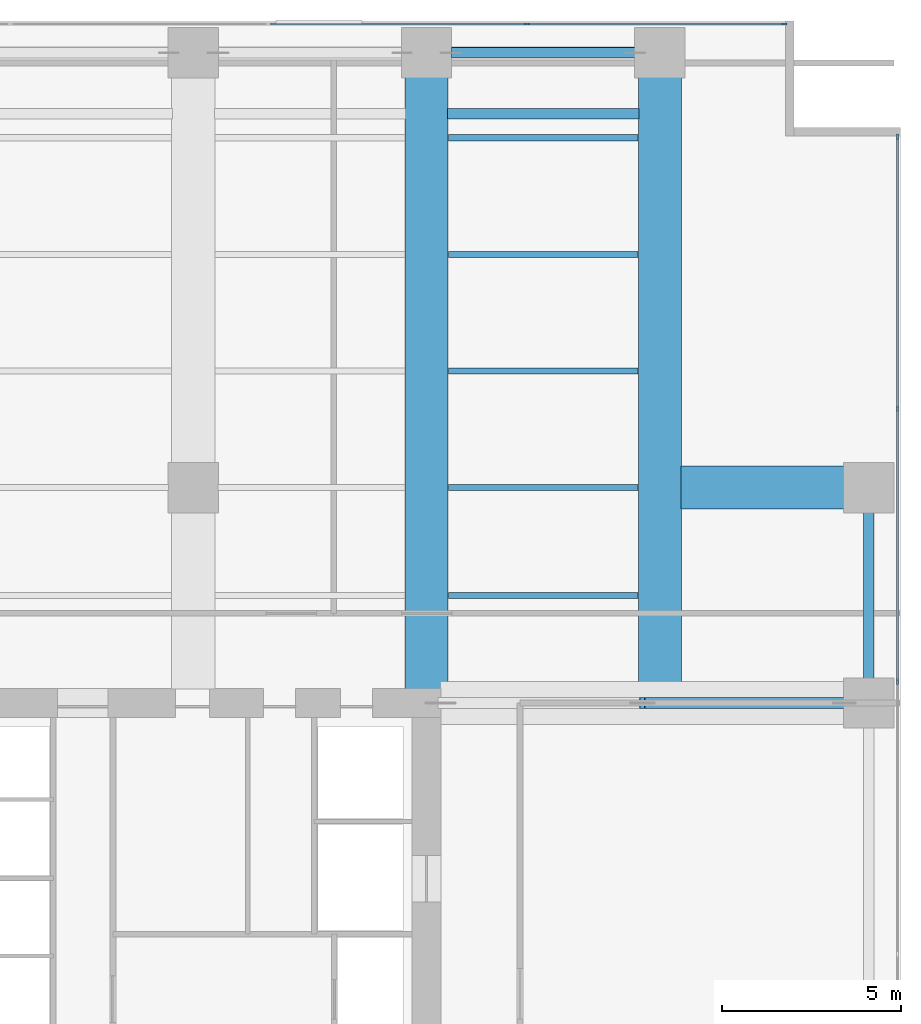
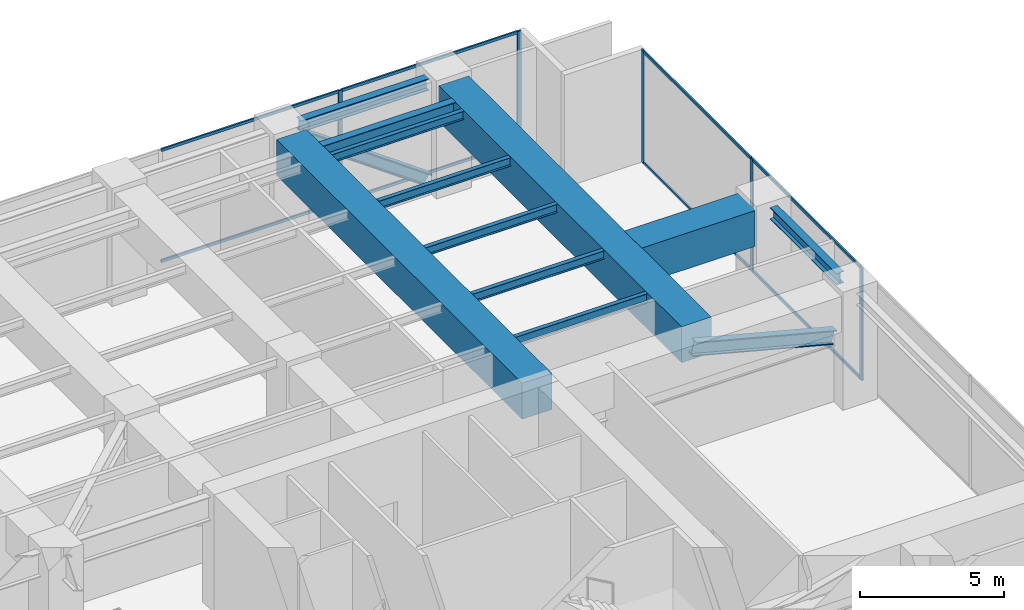
# One storey, part 14 of 31: 15 members, 11 beams, 2 elements without a shape of their own.
"""IFC4 building model written with IfcOpenShell, lengths in metres."""

from ifc_helpers import new_model, si_unit, direction, frame, origin, origin_2d, place, context, subcontext, project, spatial, rectangle, i_section, extrude, material, layer, layer_set, material_profile, profile_set, type_object, element, aggregate, save


model = new_model("IFC4")

# Units and contexts
model_context = context("Model", 3, precision=1e-05, world=origin(), true_north=direction((0.0, 1.0)))
body_context = subcontext(model_context, "Body", "Model", "MODEL_VIEW")
ifc_project = project(units=[si_unit("LENGTHUNIT", "METRE"), si_unit("AREAUNIT", "SQUARE_METRE"), si_unit("VOLUMEUNIT", "CUBIC_METRE"), si_unit("PLANEANGLEUNIT", "RADIAN"), si_unit("MASSUNIT", "GRAM", prefix="KILO")], contexts=[model_context])

# Site, building, storey
site_placement = place(None, origin())
site = spatial("IfcSite", under=ifc_project, at=site_placement, CompositionType="ELEMENT")
building_placement = place(site_placement, origin())
building = spatial("IfcBuilding", under=site, at=building_placement, Name="Putna Gate Headquarters", CompositionType="ELEMENT")
storey_placement = place(building_placement, frame((0.0, 0.0, 81.0)))
storey = spatial("IfcBuildingStorey", under=building, at=storey_placement, Name="L19", CompositionType="ELEMENT", Elevation=81.0)

# Beams
ifc_material_1 = material(Name="Steel S355J2", Category="steel")
ifc_material_profile_1 = material_profile(ifc_material_1, i_section(OverallWidth=0.169921875, OverallDepth=0.360107421875, WebThickness=0.008056640625, FlangeThickness=0.0126953125, at=origin_2d()), Name="Steel S355J2")
ifc_profile_set_1 = profile_set([ifc_material_profile_1], Name="Steel S355J2")
beam_type_1 = type_object("IfcBeamType", Name="BM-SEC-Z2-IPE360", PredefinedType="BEAM", material=ifc_profile_set_1)
for number, where, z_axis, x_axis, name in (
    (1, (65.60400390625, 36.0, 4.5849609375), (1.0, 0.0, 0.0), (0.0, 1.0, 0.0), "L19 North Secondary Beam 10"),
    (2, (65.60400390625, 39.0, 4.5849609375), (1.0, 0.0, 0.0), (0.0, 1.0, 0.0), "L19 North Secondary Beam 10"),
    (3, (65.60400390625, 42.25, 4.5849609375), (1.0, 0.0, 0.0), (0.0, 1.0, 0.0), "L19 North Secondary Beam 10"),
    (4, (65.60400390625, 45.5, 4.5849609375), (1.0, 0.0, 0.0), (0.0, 1.0, 0.0), "L19 North Secondary Beam 10"),
    (5, (65.60400390625, 48.75, 4.5849609375), (1.0, 0.0, 0.0), (0.0, 1.0, 0.0), "L19 North Secondary Beam 10"),
):
    element("IfcBeam", number, at=place(storey_placement, frame(where, z_axis=z_axis, x_axis=x_axis)), inside=storey, type_object=beam_type_1, Name=name, PredefinedType="BEAM", context=body_context, shape_type="SweptSolid", body=[
        extrude(i_section(OverallWidth=0.169921875, OverallDepth=0.360107421875, WebThickness=0.008056640625, FlangeThickness=0.0126953125, at=origin_2d()), origin(), (0.0, 0.0, 1.0), 5.2919921875),
    ])
ifc_material_profile_2 = material_profile(ifc_material_1, i_section(OverallWidth=0.300048828125, OverallDepth=0.489990234375, WebThickness=0.011962890625, FlangeThickness=0.02294921875, at=origin_2d()), Name="Steel S355J2")
ifc_profile_set_2 = profile_set([ifc_material_profile_2], Name="Steel S355J2")
beam_type_2 = type_object("IfcBeamType", Name="BM-SPAN-Z2-HEA500", PredefinedType="SPANDREL", material=ifc_profile_set_2)
beam_1_placement = place(storey_placement, frame((65.68798828125, 51.1201171875, 4.52001953125), z_axis=(1.0, 0.0, 0.0), x_axis=(0.0, 1.0, 0.0)))
element("IfcBeam", 6, at=beam_1_placement, inside=storey, type_object=beam_type_2, Name="L19 N Perimeter Spandrel 10", PredefinedType="SPANDREL", context=body_context, shape_type="SweptSolid", body=[
    extrude(i_section(OverallWidth=0.300048828125, OverallDepth=0.489990234375, WebThickness=0.011962890625, FlangeThickness=0.02294921875, at=origin_2d()), origin(), (0.0, 0.0, 1.0), 5.1240234375),
])
beam_2_placement = place(storey_placement, frame((77.320068359375, 33.68798828125, 4.52001953125), z_axis=(0.0, 1.0, 0.0), x_axis=(-1.0, 0.0, 0.0)))
element("IfcBeam", 7, at=beam_2_placement, inside=storey, type_object=beam_type_2, Name="L19 E End Spandrel 3", PredefinedType="SPANDREL", context=body_context, shape_type="SweptSolid", body=[
    extrude(i_section(OverallWidth=0.300048828125, OverallDepth=0.489990234375, WebThickness=0.011962890625, FlangeThickness=0.02294921875, at=origin_2d()), origin(), (0.0, 0.0, 1.0), 4.6240234375),
])
beam_3_placement = place(storey_placement, frame((65.5849609375, 49.419921875, 4.52001953125), z_axis=(1.0, 0.0, 0.0), x_axis=(0.0, 1.0, 0.0)))
element("IfcBeam", 8, at=beam_3_placement, inside=storey, type_object=beam_type_2, Name="L19 Setback Edge Beam N10", PredefinedType="SPANDREL", context=body_context, shape_type="SweptSolid", body=[
    extrude(i_section(OverallWidth=0.300048828125, OverallDepth=0.489990234375, WebThickness=0.011962890625, FlangeThickness=0.02294921875, at=origin_2d()), origin(), (0.0, 0.0, 1.0), 5.330078125),
])
ifc_material_2 = material(Name="Concrete C50/60", Category="concrete")
ifc_material_profile_3 = material_profile(ifc_material_2, rectangle(XDim=1.199951171875, YDim=1.52001953125, at=origin_2d()), Name="Concrete C50/60")
ifc_profile_set_3 = profile_set([ifc_material_profile_3], Name="Concrete C50/60")
beam_type_3 = type_object("IfcBeamType", Name="BM-TG-RC1520", PredefinedType="USERDEFINED", material=ifc_profile_set_3)
beam_4_placement = place(storey_placement, frame((72.0849609375, 39.0, 4.0048828125), z_axis=(1.0, 0.0, 0.0), x_axis=(0.0, 1.0, 0.0)))
element("IfcBeam", 9, at=beam_4_placement, inside=storey, type_object=beam_type_3, Name="L19 East Wing Girder Y39", ObjectType="GIRDER", PredefinedType="USERDEFINED", context=body_context, shape_type="SweptSolid", body=[
    extrude(rectangle(XDim=1.199951171875, YDim=1.52001953125, at=origin_2d()), origin(), (0.0, 0.0, 1.0), 4.547119140625),
])
beam_5_placement = place(storey_placement, frame((65.0, 33.385009765625, 4.0048828125), z_axis=(0.0, 1.0, 0.0), x_axis=(-1.0, 0.0, 0.0)))
element("IfcBeam", 10, at=beam_5_placement, inside=storey, type_object=beam_type_3, Name="L19 North Primary Girder X65", ObjectType="GIRDER", PredefinedType="USERDEFINED", context=body_context, shape_type="SweptSolid", body=[
    extrude(rectangle(XDim=1.199951171875, YDim=1.52001953125, at=origin_2d()), origin(), (0.0, 0.0, 1.0), 17.046875),
])
beam_6_placement = place(storey_placement, frame((71.5, 33.5849609375, 4.0048828125), z_axis=(0.0, 1.0, 0.0), x_axis=(-1.0, 0.0, 0.0)))
element("IfcBeam", 11, at=beam_6_placement, inside=storey, type_object=beam_type_3, Name="L19 North Primary Girder X71", ObjectType="GIRDER", PredefinedType="USERDEFINED", context=body_context, shape_type="SweptSolid", body=[
    extrude(rectangle(XDim=1.199951171875, YDim=1.52001953125, at=origin_2d()), origin(), (0.0, 0.0, 1.0), 16.846923828125),
])

# Members
ifc_material_3 = material(Name="Steel S460M", Category="steel")
ifc_material_profile_4 = material_profile(ifc_material_3, i_section(OverallWidth=0.306884765625, OverallDepth=0.47802734375, WebThickness=0.02099609375, FlangeThickness=0.0400390625, at=origin_2d()), Name="Steel S460M")
ifc_profile_set_4 = profile_set([ifc_material_profile_4], Name="Steel S460M")
member_type_1 = type_object("IfcMemberType", Name="MEM-BELT-DIAG-HEM450", PredefinedType="BRACE", material=ifc_profile_set_4)
member_1_placement = place(storey_placement, frame((65.68505859375, 51.1201171875, 4.114990234375), z_axis=(0.813670670629, 0.0, -0.581326104487), x_axis=(0.0, 1.0, 0.0)))
element("IfcMember", 12, at=member_1_placement, inside=storey, type_object=member_type_1, Name="L19 Belt Truss Diagonal N10", PredefinedType="BRACE", context=body_context, shape_type="SweptSolid", body=[
    extrude(i_section(OverallWidth=0.306884765625, OverallDepth=0.47802734375, WebThickness=0.02099609375, FlangeThickness=0.0400390625, at=origin_2d()), origin(), (0.0, 0.0, 1.0), 6.3046875),
])
ifc_material_profile_5 = material_profile(ifc_material_3, i_section(OverallWidth=0.305908203125, OverallDepth=0.572021484375, WebThickness=0.02099609375, FlangeThickness=0.0400390625, at=origin_2d()), Name="Steel S460M")
ifc_profile_set_5 = profile_set([ifc_material_profile_5], Name="Steel S460M")
member_type_2 = type_object("IfcMemberType", Name="MEM-OUTRIGGER-DIAG-HEM550", PredefinedType="BRACE", material=ifc_profile_set_5)
member_2_placement = place(storey_placement, frame((71.010009765625, 33.0, 4.215087890625), z_axis=(0.967713990504, 0.0, -0.252050853169), x_axis=(0.0, 1.0, 0.0)))
element("IfcMember", 13, at=member_2_placement, inside=storey, type_object=member_type_2, Name="L19 Outrigger Truss Brace EN-2", PredefinedType="BRACE", context=body_context, shape_type="SweptSolid", body=[
    extrude(i_section(OverallWidth=0.305908203125, OverallDepth=0.572021484375, WebThickness=0.02099609375, FlangeThickness=0.0400390625, at=origin_2d()), origin(), (0.0, 0.0, 1.0), 5.812744140625),
])

# Curtain wall, members
ifc_material_4 = material(Name="Anodised bronze aluminium curtain wall", Category="aluminium")
ifc_layer = layer(ifc_material_4, 0.159912109375)
ifc_layer_set = layer_set([ifc_layer], Name="Anodised bronze aluminium curtain wall")
curtain_wall_type = type_object("IfcCurtainWallType", Name="CW-SYS-CRN", PredefinedType="USERDEFINED", material=ifc_layer_set)
curtain_wall_1_placement = place(storey_placement, origin())
curtain_wall_1 = element("IfcCurtainWall", 14, at=curtain_wall_1_placement, inside=storey, type_object=curtain_wall_type, Name="L19 Acoustic Louvre North Enclosure", ObjectType="STICK CURTAIN WALL", PredefinedType="USERDEFINED")
ifc_material_5 = material(Name="Anodised bronze aluminium EN AW-6060", Category="aluminium")
ifc_material_profile_6 = material_profile(ifc_material_5, rectangle(XDim=0.06494140625, YDim=0.159912109375, at=origin_2d()), Name="Anodised bronze aluminium EN AW-6060")
ifc_profile_set_6 = profile_set([ifc_material_profile_6], Name="Anodised bronze aluminium EN AW-6060")
member_type_3 = type_object("IfcMemberType", Name="MULL-CWM-CR", PredefinedType="MULLION", material=ifc_profile_set_6)
member_3_placement = place(storey_placement, frame((67.800048828125, 51.919921875, 0.0), z_axis=(0.0, 0.0, 1.0), x_axis=(0.0, 1.0, 0.0)))
member_3 = element("IfcMember", 15, at=member_3_placement, type_object=member_type_3, Name="CWS-CR mullion 10", PredefinedType="MULLION", context=body_context, shape_type="SweptSolid", body=[
    extrude(rectangle(XDim=0.06494140625, YDim=0.159912109375, at=origin_2d()), origin(), (0.0, 0.0, 1.0), 4.764892578125),
])
member_4_placement = place(storey_placement, frame((74.967529296875, 51.919921875, 0.0), z_axis=(0.0, 0.0, 1.0), x_axis=(0.0, 1.0, 0.0)))
member_4 = element("IfcMember", 16, at=member_4_placement, type_object=member_type_3, Name="CWS-CR mullion 11", PredefinedType="MULLION", context=body_context, shape_type="SweptSolid", body=[
    extrude(rectangle(XDim=0.06494140625, YDim=0.159912109375, at=origin_2d()), origin(), (0.0, 0.0, 1.0), 4.764892578125),
])

curtain_wall_2_placement = place(storey_placement, origin())
curtain_wall_2 = element("IfcCurtainWall", 17, at=curtain_wall_2_placement, inside=storey, type_object=curtain_wall_type, Name="L19 Acoustic Louvre East Enclosure", ObjectType="STICK CURTAIN WALL", PredefinedType="USERDEFINED")
member_5_placement = place(storey_placement, frame((78.1201171875, 33.60009765625, 0.0), z_axis=(0.0, 0.0, 1.0), x_axis=(-1.0, 0.0, 0.0)))
member_5 = element("IfcMember", 18, at=member_5_placement, type_object=member_type_3, Name="CWS-CR mullion 5", PredefinedType="MULLION", context=body_context, shape_type="SweptSolid", body=[
    extrude(rectangle(XDim=0.06494140625, YDim=0.159912109375, at=origin_2d()), origin(), (0.0, 0.0, 1.0), 4.764892578125),
])
member_6_placement = place(storey_placement, frame((78.1201171875, 41.199951171875, 0.0), z_axis=(0.0, 0.0, 1.0), x_axis=(-1.0, 0.0, 0.0)))
member_6 = element("IfcMember", 19, at=member_6_placement, type_object=member_type_3, Name="CWS-CR mullion 6", PredefinedType="MULLION", context=body_context, shape_type="SweptSolid", body=[
    extrude(rectangle(XDim=0.06494140625, YDim=0.159912109375, at=origin_2d()), origin(), (0.0, 0.0, 1.0), 4.764892578125),
])
member_7_placement = place(storey_placement, frame((78.1201171875, 48.767578125, 0.0), z_axis=(0.0, 0.0, 1.0), x_axis=(-1.0, 0.0, 0.0)))
member_7 = element("IfcMember", 20, at=member_7_placement, type_object=member_type_3, Name="CWS-CR mullion 7", PredefinedType="MULLION", context=body_context, shape_type="SweptSolid", body=[
    extrude(rectangle(XDim=0.06494140625, YDim=0.159912109375, at=origin_2d()), origin(), (0.0, 0.0, 1.0), 4.764892578125),
])

# Member
ifc_material_profile_7 = material_profile(ifc_material_5, rectangle(XDim=0.06494140625, YDim=0.1201171875, at=origin_2d()), Name="Anodised bronze aluminium EN AW-6060")
ifc_profile_set_7 = profile_set([ifc_material_profile_7], Name="Anodised bronze aluminium EN AW-6060")
member_type_4 = type_object("IfcMemberType", Name="TRAN-CWT-CR", PredefinedType="USERDEFINED", material=ifc_profile_set_7)
member_8_placement = place(storey_placement, frame((60.632568359375, 51.919921875, 0.032470703125), z_axis=(1.0, 0.0, 0.0), x_axis=(0.0, 1.0, 0.0)))
member_8 = element("IfcMember", 21, at=member_8_placement, type_object=member_type_4, Name="CWS-CR transom 9.1", ObjectType="TRANSOM", PredefinedType="USERDEFINED", context=body_context, shape_type="SweptSolid", body=[
    extrude(rectangle(XDim=0.06494140625, YDim=0.1201171875, at=origin_2d()), origin(), (0.0, 0.0, 1.0), 7.135009765625),
])

member_9_placement = place(storey_placement, frame((60.632568359375, 51.919921875, 4.732421875), z_axis=(1.0, 0.0, 0.0), x_axis=(0.0, 1.0, 0.0)))
member_9 = element("IfcMember", 22, at=member_9_placement, type_object=member_type_4, Name="CWS-CR transom 9.2", ObjectType="TRANSOM", PredefinedType="USERDEFINED", context=body_context, shape_type="SweptSolid", body=[
    extrude(rectangle(XDim=0.06494140625, YDim=0.1201171875, at=origin_2d()), origin(), (0.0, 0.0, 1.0), 7.135009765625),
])

member_10_placement = place(storey_placement, frame((67.83251953125, 51.919921875, 0.032470703125), z_axis=(1.0, 0.0, 0.0), x_axis=(0.0, 1.0, 0.0)))
member_10 = element("IfcMember", 23, at=member_10_placement, type_object=member_type_4, Name="CWS-CR transom 10.1", ObjectType="TRANSOM", PredefinedType="USERDEFINED", context=body_context, shape_type="SweptSolid", body=[
    extrude(rectangle(XDim=0.06494140625, YDim=0.1201171875, at=origin_2d()), origin(), (0.0, 0.0, 1.0), 7.1025390625),
])

member_11_placement = place(storey_placement, frame((67.83251953125, 51.919921875, 4.732421875), z_axis=(1.0, 0.0, 0.0), x_axis=(0.0, 1.0, 0.0)))
member_11 = element("IfcMember", 24, at=member_11_placement, type_object=member_type_4, Name="CWS-CR transom 10.2", ObjectType="TRANSOM", PredefinedType="USERDEFINED", context=body_context, shape_type="SweptSolid", body=[
    extrude(rectangle(XDim=0.06494140625, YDim=0.1201171875, at=origin_2d()), origin(), (0.0, 0.0, 1.0), 7.1025390625),
])

aggregate(curtain_wall_1, [member_3, member_4, member_8, member_9, member_10, member_11])

member_12_placement = place(storey_placement, frame((78.1201171875, 33.632568359375, 0.032470703125), z_axis=(0.0, 1.0, 0.0), x_axis=(-1.0, 0.0, 0.0)))
member_12 = element("IfcMember", 25, at=member_12_placement, type_object=member_type_4, Name="CWS-CR transom 5.1", ObjectType="TRANSOM", PredefinedType="USERDEFINED", context=body_context, shape_type="SweptSolid", body=[
    extrude(rectangle(XDim=0.06494140625, YDim=0.1201171875, at=origin_2d()), origin(), (0.0, 0.0, 1.0), 7.534912109375),
])

member_13_placement = place(storey_placement, frame((78.1201171875, 33.632568359375, 4.732421875), z_axis=(0.0, 1.0, 0.0), x_axis=(-1.0, 0.0, 0.0)))
member_13 = element("IfcMember", 26, at=member_13_placement, type_object=member_type_4, Name="CWS-CR transom 5.2", ObjectType="TRANSOM", PredefinedType="USERDEFINED", context=body_context, shape_type="SweptSolid", body=[
    extrude(rectangle(XDim=0.06494140625, YDim=0.1201171875, at=origin_2d()), origin(), (0.0, 0.0, 1.0), 7.534912109375),
])

member_14_placement = place(storey_placement, frame((78.1201171875, 41.232421875, 0.032470703125), z_axis=(0.0, 1.0, 0.0), x_axis=(-1.0, 0.0, 0.0)))
member_14 = element("IfcMember", 27, at=member_14_placement, type_object=member_type_4, Name="CWS-CR transom 6.1", ObjectType="TRANSOM", PredefinedType="USERDEFINED", context=body_context, shape_type="SweptSolid", body=[
    extrude(rectangle(XDim=0.06494140625, YDim=0.1201171875, at=origin_2d()), origin(), (0.0, 0.0, 1.0), 7.502685546875),
])

member_15_placement = place(storey_placement, frame((78.1201171875, 41.232421875, 4.732421875), z_axis=(0.0, 1.0, 0.0), x_axis=(-1.0, 0.0, 0.0)))
member_15 = element("IfcMember", 28, at=member_15_placement, type_object=member_type_4, Name="CWS-CR transom 6.2", ObjectType="TRANSOM", PredefinedType="USERDEFINED", context=body_context, shape_type="SweptSolid", body=[
    extrude(rectangle(XDim=0.06494140625, YDim=0.1201171875, at=origin_2d()), origin(), (0.0, 0.0, 1.0), 7.502685546875),
])

aggregate(curtain_wall_2, [member_5, member_6, member_7, member_12, member_13, member_14, member_15])

save(model, "model.ifc")
